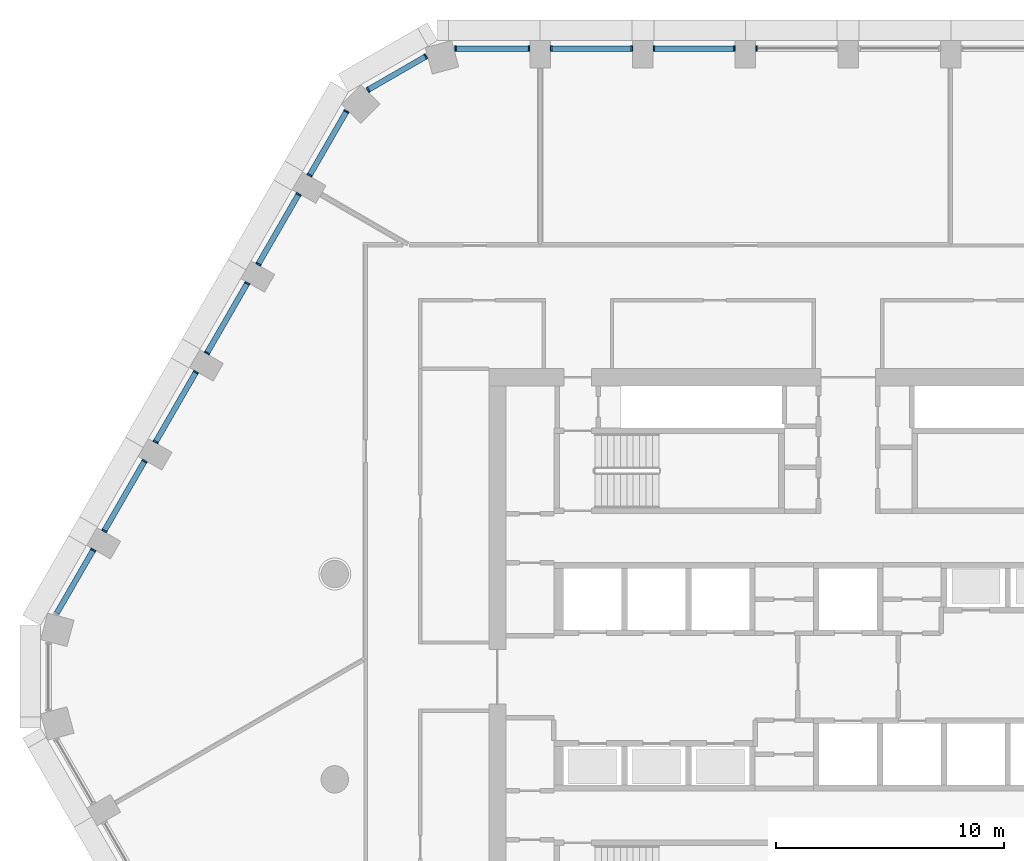
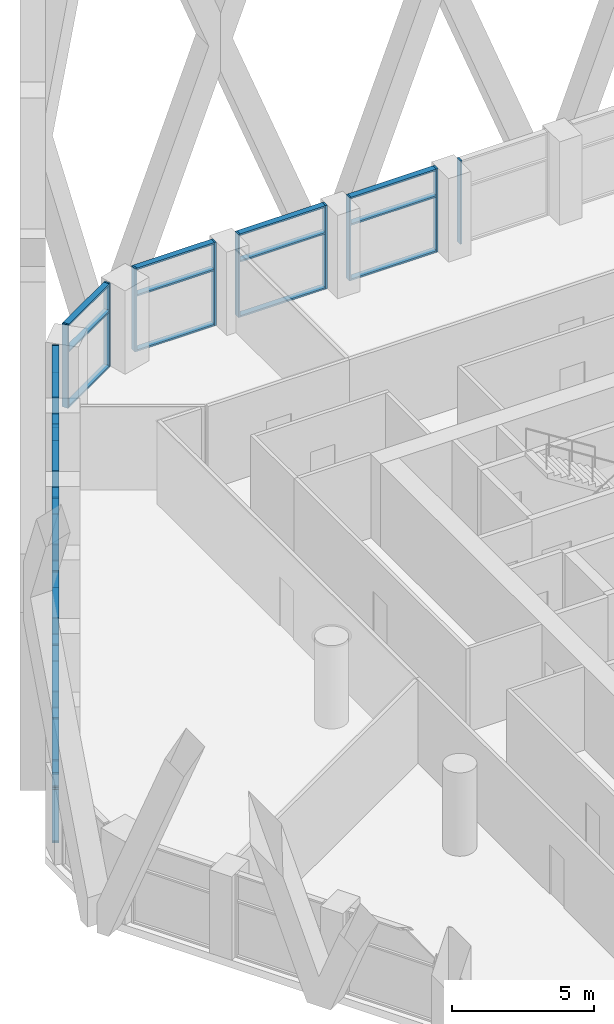
# One storey, part 4 of 24: 50 members, 11 elements without a shape of their own.
"""IFC4 building model written with IfcOpenShell, lengths in metres."""

from ifc_helpers import new_model, si_unit, direction, frame, origin, origin_2d, place, context, subcontext, project, spatial, rectangle, extrude, material, layer, layer_set, material_profile, profile_set, type_object, element, aggregate, save


model = new_model("IFC4")

# Units and contexts
model_context = context("Model", 3, precision=1e-05, world=origin(), true_north=direction((0.0, 1.0)))
body_context = subcontext(model_context, "Body", "Model", "MODEL_VIEW")
ifc_project = project(units=[si_unit("LENGTHUNIT", "METRE"), si_unit("AREAUNIT", "SQUARE_METRE"), si_unit("VOLUMEUNIT", "CUBIC_METRE"), si_unit("PLANEANGLEUNIT", "RADIAN"), si_unit("MASSUNIT", "GRAM", prefix="KILO")], contexts=[model_context])

# Site, building, storey
site_placement = place(None, origin())
site = spatial("IfcSite", under=ifc_project, at=site_placement, CompositionType="ELEMENT")
building_placement = place(site_placement, origin())
building = spatial("IfcBuilding", under=site, at=building_placement, Name="Dhurran Vertical Campus", CompositionType="ELEMENT")
storey_placement = place(building_placement, frame((0.0, 0.0, 132.60009765625)))
storey = spatial("IfcBuildingStorey", under=building, at=storey_placement, Name="L32", CompositionType="ELEMENT", Elevation=132.60009765625)

# Curtain wall, member
ifc_material_1 = material(Name="Aluminium frame with solar-control glass", Category="aluminium")
ifc_layer = layer(ifc_material_1, 0.25)
ifc_layer_set = layer_set([ifc_layer], Name="Aluminium frame with solar-control glass")
curtain_wall_type = type_object("IfcCurtainWallType", Name="Sky lobby glazing system", PredefinedType="NOTDEFINED", material=ifc_layer_set)
curtain_wall_1_placement = place(storey_placement, origin())
curtain_wall_1 = element("IfcCurtainWall", 1, at=curtain_wall_1_placement, inside=storey, type_object=curtain_wall_type, Name="CW3 L32.27", PredefinedType="NOTDEFINED")
ifc_material_2 = material(Name="Aluminium mullion", Category="aluminium")
ifc_material_profile_1 = material_profile(ifc_material_2, rectangle(XDim=0.239990234375, YDim=0.070068359375, at=origin_2d()), Name="Sky lobby glazing system mullion")
ifc_profile_set_1 = profile_set([ifc_material_profile_1], Name="Aluminium mullion")
member_type_1 = type_object("IfcMemberType", Name="Sky lobby glazing system mullion", PredefinedType="MULLION", material=ifc_profile_set_1)
member_1_placement = place(storey_placement, frame((-4.014404296875, 27.53271484375, 0.0), z_axis=(0.0, 0.0, 1.0), x_axis=(0.0, -1.0, 0.0)))
member_1 = element("IfcMember", 2, at=member_1_placement, type_object=member_type_1, Name="CW3 mullion 2", PredefinedType="MULLION", context=body_context, shape_type="SweptSolid", body=[
    extrude(rectangle(XDim=0.239990234375, YDim=0.070068359375, at=origin_2d()), origin(), (0.0, 0.0, 1.0), 3.574951171875),
])
aggregate(curtain_wall_1, [member_1])

# Curtain wall, members
curtain_wall_2_placement = place(storey_placement, origin())
curtain_wall_2 = element("IfcCurtainWall", 3, at=curtain_wall_2_placement, inside=storey, type_object=curtain_wall_type, Name="CW3 L32.28", PredefinedType="NOTDEFINED")
member_2_placement = place(storey_placement, frame((-4.985595703125, 27.53271484375, 0.0), z_axis=(0.0, 0.0, 1.0), x_axis=(0.0, -1.0, 0.0)))
member_2 = element("IfcMember", 4, at=member_2_placement, type_object=member_type_1, Name="CW3 mullion 1", PredefinedType="MULLION", context=body_context, shape_type="SweptSolid", body=[
    extrude(rectangle(XDim=0.239990234375, YDim=0.070068359375, at=origin_2d()), origin(), (0.0, 0.0, 1.0), 3.574951171875),
])
member_3_placement = place(storey_placement, frame((-8.514404296875, 27.53271484375, 0.0), z_axis=(0.0, 0.0, 1.0), x_axis=(0.0, -1.0, 0.0)))
member_3 = element("IfcMember", 5, at=member_3_placement, type_object=member_type_1, Name="CW3 mullion 2", PredefinedType="MULLION", context=body_context, shape_type="SweptSolid", body=[
    extrude(rectangle(XDim=0.239990234375, YDim=0.070068359375, at=origin_2d()), origin(), (0.0, 0.0, 1.0), 3.574951171875),
])

curtain_wall_3_placement = place(storey_placement, origin())
curtain_wall_3 = element("IfcCurtainWall", 6, at=curtain_wall_3_placement, inside=storey, type_object=curtain_wall_type, Name="CW3 L32.29", PredefinedType="NOTDEFINED")
member_4_placement = place(storey_placement, frame((-9.485595703125, 27.53271484375, 0.0), z_axis=(0.0, 0.0, 1.0), x_axis=(0.0, -1.0, 0.0)))
member_4 = element("IfcMember", 7, at=member_4_placement, type_object=member_type_1, Name="CW3 mullion 1", PredefinedType="MULLION", context=body_context, shape_type="SweptSolid", body=[
    extrude(rectangle(XDim=0.239990234375, YDim=0.070068359375, at=origin_2d()), origin(), (0.0, 0.0, 1.0), 3.574951171875),
])
member_5_placement = place(storey_placement, frame((-13.014404296875, 27.53271484375, 0.0), z_axis=(0.0, 0.0, 1.0), x_axis=(0.0, -1.0, 0.0)))
member_5 = element("IfcMember", 8, at=member_5_placement, type_object=member_type_1, Name="CW3 mullion 2", PredefinedType="MULLION", context=body_context, shape_type="SweptSolid", body=[
    extrude(rectangle(XDim=0.239990234375, YDim=0.070068359375, at=origin_2d()), origin(), (0.0, 0.0, 1.0), 3.574951171875),
])

curtain_wall_4_placement = place(storey_placement, origin())
curtain_wall_4 = element("IfcCurtainWall", 9, at=curtain_wall_4_placement, inside=storey, type_object=curtain_wall_type, Name="CW3 L32.30", PredefinedType="NOTDEFINED")
member_6_placement = place(storey_placement, frame((-13.985595703125, 27.53271484375, 0.0), z_axis=(0.0, 0.0, 1.0), x_axis=(0.0, -1.0, 0.0)))
member_6 = element("IfcMember", 10, at=member_6_placement, type_object=member_type_1, Name="CW3 mullion 1", PredefinedType="MULLION", context=body_context, shape_type="SweptSolid", body=[
    extrude(rectangle(XDim=0.239990234375, YDim=0.070068359375, at=origin_2d()), origin(), (0.0, 0.0, 1.0), 3.574951171875),
])
member_7_placement = place(storey_placement, frame((-17.209716796875, 27.53271484375, 0.0), z_axis=(0.0, 0.0, 1.0), x_axis=(0.0, -1.0, 0.0)))
member_7 = element("IfcMember", 11, at=member_7_placement, type_object=member_type_1, Name="CW3 mullion 2", PredefinedType="MULLION", context=body_context, shape_type="SweptSolid", body=[
    extrude(rectangle(XDim=0.239990234375, YDim=0.070068359375, at=origin_2d()), origin(), (0.0, 0.0, 1.0), 3.574951171875),
])

curtain_wall_5_placement = place(storey_placement, origin())
curtain_wall_5 = element("IfcCurtainWall", 12, at=curtain_wall_5_placement, inside=storey, type_object=curtain_wall_type, Name="CW3 L32.31", PredefinedType="NOTDEFINED")
member_8_placement = place(storey_placement, frame((-18.509521484375, 27.184326171875, 0.0), z_axis=(0.0, 0.0, 1.0), x_axis=(0.500003351625, -0.866023468714, 0.0)))
member_8 = element("IfcMember", 13, at=member_8_placement, type_object=member_type_1, Name="CW3 mullion 1", PredefinedType="MULLION", context=body_context, shape_type="SweptSolid", body=[
    extrude(rectangle(XDim=0.239990234375, YDim=0.070068359375, at=origin_2d()), origin(), (0.0, 0.0, 1.0), 3.574951171875),
])
member_9_placement = place(storey_placement, frame((-21.03759765625, 25.724853515625, 0.0), z_axis=(0.0, 0.0, 1.0), x_axis=(0.500003351625, -0.866023468714, 0.0)))
member_9 = element("IfcMember", 14, at=member_9_placement, type_object=member_type_1, Name="CW3 mullion 2", PredefinedType="MULLION", context=body_context, shape_type="SweptSolid", body=[
    extrude(rectangle(XDim=0.239990234375, YDim=0.070068359375, at=origin_2d()), origin(), (0.0, 0.0, 1.0), 3.574951171875),
])

curtain_wall_6_placement = place(storey_placement, origin())
curtain_wall_6 = element("IfcCurtainWall", 15, at=curtain_wall_6_placement, inside=storey, type_object=curtain_wall_type, Name="CW3 L32.32", PredefinedType="NOTDEFINED")
member_10_placement = place(storey_placement, frame((-21.9892578125, 24.773193359375, 0.0), z_axis=(0.0, 0.0, 1.0), x_axis=(0.866026338808, -0.499998380488, 0.0)))
member_10 = element("IfcMember", 16, at=member_10_placement, type_object=member_type_1, Name="CW3 mullion 1", PredefinedType="MULLION", context=body_context, shape_type="SweptSolid", body=[
    extrude(rectangle(XDim=0.239990234375, YDim=0.070068359375, at=origin_2d()), origin(), (0.0, 0.0, 1.0), 3.574951171875),
])
member_11_placement = place(storey_placement, frame((-23.601318359375, 21.98095703125, 0.0), z_axis=(0.0, 0.0, 1.0), x_axis=(0.866026338808, -0.499998380488, 0.0)))
member_11 = element("IfcMember", 17, at=member_11_placement, type_object=member_type_1, Name="CW3 mullion 2", PredefinedType="MULLION", context=body_context, shape_type="SweptSolid", body=[
    extrude(rectangle(XDim=0.239990234375, YDim=0.070068359375, at=origin_2d()), origin(), (0.0, 0.0, 1.0), 3.574951171875),
])

curtain_wall_7_placement = place(storey_placement, origin())
curtain_wall_7 = element("IfcCurtainWall", 18, at=curtain_wall_7_placement, inside=storey, type_object=curtain_wall_type, Name="CW3 L32.33", PredefinedType="NOTDEFINED")
member_12_placement = place(storey_placement, frame((-24.0869140625, 21.14013671875, 0.0), z_axis=(0.0, 0.0, 1.0), x_axis=(0.866023637427, -0.500003059408, 0.0)))
member_12 = element("IfcMember", 19, at=member_12_placement, type_object=member_type_1, Name="CW3 mullion 1", PredefinedType="MULLION", context=body_context, shape_type="SweptSolid", body=[
    extrude(rectangle(XDim=0.239990234375, YDim=0.070068359375, at=origin_2d()), origin(), (0.0, 0.0, 1.0), 3.574951171875),
])
member_13_placement = place(storey_placement, frame((-25.851318359375, 18.083984375, 0.0), z_axis=(0.0, 0.0, 1.0), x_axis=(0.866023637427, -0.500003059408, 0.0)))
member_13 = element("IfcMember", 20, at=member_13_placement, type_object=member_type_1, Name="CW3 mullion 2", PredefinedType="MULLION", context=body_context, shape_type="SweptSolid", body=[
    extrude(rectangle(XDim=0.239990234375, YDim=0.070068359375, at=origin_2d()), origin(), (0.0, 0.0, 1.0), 3.574951171875),
])

curtain_wall_8_placement = place(storey_placement, origin())
curtain_wall_8 = element("IfcCurtainWall", 21, at=curtain_wall_8_placement, inside=storey, type_object=curtain_wall_type, Name="CW3 L32.34", PredefinedType="NOTDEFINED")
member_14_placement = place(storey_placement, frame((-26.3369140625, 17.242919921875, 0.0), z_axis=(0.0, 0.0, 1.0), x_axis=(0.866023637427, -0.500003059408, 0.0)))
member_14 = element("IfcMember", 22, at=member_14_placement, type_object=member_type_1, Name="CW3 mullion 1", PredefinedType="MULLION", context=body_context, shape_type="SweptSolid", body=[
    extrude(rectangle(XDim=0.239990234375, YDim=0.070068359375, at=origin_2d()), origin(), (0.0, 0.0, 1.0), 3.574951171875),
])
member_15_placement = place(storey_placement, frame((-28.101318359375, 14.186767578125, 0.0), z_axis=(0.0, 0.0, 1.0), x_axis=(0.866023637427, -0.500003059408, 0.0)))
member_15 = element("IfcMember", 23, at=member_15_placement, type_object=member_type_1, Name="CW3 mullion 2", PredefinedType="MULLION", context=body_context, shape_type="SweptSolid", body=[
    extrude(rectangle(XDim=0.239990234375, YDim=0.070068359375, at=origin_2d()), origin(), (0.0, 0.0, 1.0), 3.574951171875),
])

curtain_wall_9_placement = place(storey_placement, origin())
curtain_wall_9 = element("IfcCurtainWall", 24, at=curtain_wall_9_placement, inside=storey, type_object=curtain_wall_type, Name="CW3 L32.35", PredefinedType="NOTDEFINED")
member_16_placement = place(storey_placement, frame((-28.5869140625, 13.345947265625, 0.0), z_axis=(0.0, 0.0, 1.0), x_axis=(0.866023637427, -0.500003059408, 0.0)))
member_16 = element("IfcMember", 25, at=member_16_placement, type_object=member_type_1, Name="CW3 mullion 1", PredefinedType="MULLION", context=body_context, shape_type="SweptSolid", body=[
    extrude(rectangle(XDim=0.239990234375, YDim=0.070068359375, at=origin_2d()), origin(), (0.0, 0.0, 1.0), 3.574951171875),
])
member_17_placement = place(storey_placement, frame((-30.351318359375, 10.289794921875, 0.0), z_axis=(0.0, 0.0, 1.0), x_axis=(0.866023637427, -0.500003059408, 0.0)))
member_17 = element("IfcMember", 26, at=member_17_placement, type_object=member_type_1, Name="CW3 mullion 2", PredefinedType="MULLION", context=body_context, shape_type="SweptSolid", body=[
    extrude(rectangle(XDim=0.239990234375, YDim=0.070068359375, at=origin_2d()), origin(), (0.0, 0.0, 1.0), 3.574951171875),
])

curtain_wall_10_placement = place(storey_placement, origin())
curtain_wall_10 = element("IfcCurtainWall", 27, at=curtain_wall_10_placement, inside=storey, type_object=curtain_wall_type, Name="CW3 L32.36", PredefinedType="NOTDEFINED")
member_18_placement = place(storey_placement, frame((-30.8369140625, 9.44873046875, 0.0), z_axis=(0.0, 0.0, 1.0), x_axis=(0.866023637427, -0.500003059408, 0.0)))
member_18 = element("IfcMember", 28, at=member_18_placement, type_object=member_type_1, Name="CW3 mullion 1", PredefinedType="MULLION", context=body_context, shape_type="SweptSolid", body=[
    extrude(rectangle(XDim=0.239990234375, YDim=0.070068359375, at=origin_2d()), origin(), (0.0, 0.0, 1.0), 3.574951171875),
])
member_19_placement = place(storey_placement, frame((-32.601318359375, 6.392578125, 0.0), z_axis=(0.0, 0.0, 1.0), x_axis=(0.866023637427, -0.500003059408, 0.0)))
member_19 = element("IfcMember", 29, at=member_19_placement, type_object=member_type_1, Name="CW3 mullion 2", PredefinedType="MULLION", context=body_context, shape_type="SweptSolid", body=[
    extrude(rectangle(XDim=0.239990234375, YDim=0.070068359375, at=origin_2d()), origin(), (0.0, 0.0, 1.0), 3.574951171875),
])

# Curtain wall, member
curtain_wall_11_placement = place(storey_placement, origin())
curtain_wall_11 = element("IfcCurtainWall", 30, at=curtain_wall_11_placement, inside=storey, type_object=curtain_wall_type, Name="CW3 L32.37", PredefinedType="NOTDEFINED")
member_20_placement = place(storey_placement, frame((-33.0869140625, 5.5517578125, 0.0), z_axis=(0.0, 0.0, 1.0), x_axis=(0.866033927995, -0.499985235344, 0.0)))
member_20 = element("IfcMember", 31, at=member_20_placement, type_object=member_type_1, Name="CW3 mullion 1", PredefinedType="MULLION", context=body_context, shape_type="SweptSolid", body=[
    extrude(rectangle(XDim=0.239990234375, YDim=0.070068359375, at=origin_2d()), origin(), (0.0, 0.0, 1.0), 3.574951171875),
])

# Member
ifc_material_3 = material(Name="Aluminium transom", Category="aluminium")
ifc_material_profile_2 = material_profile(ifc_material_3, rectangle(XDim=0.239990234375, YDim=0.070068359375, at=origin_2d()), Name="Sky lobby glazing system transom")
ifc_profile_set_2 = profile_set([ifc_material_profile_2], Name="Aluminium transom")
member_type_2 = type_object("IfcMemberType", Name="Sky lobby glazing system transom", PredefinedType="USERDEFINED", material=ifc_profile_set_2)
member_21_placement = place(storey_placement, frame((-5.0205078125, 27.53271484375, 0.034912109375), z_axis=(-1.0, 0.0, 0.0), x_axis=(0.0, -1.0, 0.0)))
member_21 = element("IfcMember", 32, at=member_21_placement, type_object=member_type_2, Name="CW3 transom 1.1", ObjectType="TRANSOM", PredefinedType="USERDEFINED", context=body_context, shape_type="SweptSolid", body=[
    extrude(rectangle(XDim=0.239990234375, YDim=0.070068359375, at=origin_2d()), origin(), (0.0, 0.0, 1.0), 3.458984375),
])

member_22_placement = place(storey_placement, frame((-5.0205078125, 27.53271484375, 2.39990234375), z_axis=(-1.0, 0.0, 0.0), x_axis=(0.0, -1.0, 0.0)))
member_22 = element("IfcMember", 33, at=member_22_placement, type_object=member_type_2, Name="CW3 transom 1.2", ObjectType="TRANSOM", PredefinedType="USERDEFINED", context=body_context, shape_type="SweptSolid", body=[
    extrude(rectangle(XDim=0.239990234375, YDim=0.070068359375, at=origin_2d()), origin(), (0.0, 0.0, 1.0), 3.458984375),
])

member_23_placement = place(storey_placement, frame((-5.0205078125, 27.53271484375, 3.539794921875), z_axis=(-1.0, 0.0, 0.0), x_axis=(0.0, -1.0, 0.0)))
member_23 = element("IfcMember", 34, at=member_23_placement, type_object=member_type_2, Name="CW3 transom 1.3", ObjectType="TRANSOM", PredefinedType="USERDEFINED", context=body_context, shape_type="SweptSolid", body=[
    extrude(rectangle(XDim=0.239990234375, YDim=0.070068359375, at=origin_2d()), origin(), (0.0, 0.0, 1.0), 3.458984375),
])

aggregate(curtain_wall_2, [member_2, member_3, member_21, member_22, member_23])

member_24_placement = place(storey_placement, frame((-9.5205078125, 27.53271484375, 0.034912109375), z_axis=(-1.0, 0.0, 0.0), x_axis=(0.0, -1.0, 0.0)))
member_24 = element("IfcMember", 35, at=member_24_placement, type_object=member_type_2, Name="CW3 transom 1.1", ObjectType="TRANSOM", PredefinedType="USERDEFINED", context=body_context, shape_type="SweptSolid", body=[
    extrude(rectangle(XDim=0.239990234375, YDim=0.070068359375, at=origin_2d()), origin(), (0.0, 0.0, 1.0), 3.458984375),
])

member_25_placement = place(storey_placement, frame((-9.5205078125, 27.53271484375, 2.39990234375), z_axis=(-1.0, 0.0, 0.0), x_axis=(0.0, -1.0, 0.0)))
member_25 = element("IfcMember", 36, at=member_25_placement, type_object=member_type_2, Name="CW3 transom 1.2", ObjectType="TRANSOM", PredefinedType="USERDEFINED", context=body_context, shape_type="SweptSolid", body=[
    extrude(rectangle(XDim=0.239990234375, YDim=0.070068359375, at=origin_2d()), origin(), (0.0, 0.0, 1.0), 3.458984375),
])

member_26_placement = place(storey_placement, frame((-9.5205078125, 27.53271484375, 3.539794921875), z_axis=(-1.0, 0.0, 0.0), x_axis=(0.0, -1.0, 0.0)))
member_26 = element("IfcMember", 37, at=member_26_placement, type_object=member_type_2, Name="CW3 transom 1.3", ObjectType="TRANSOM", PredefinedType="USERDEFINED", context=body_context, shape_type="SweptSolid", body=[
    extrude(rectangle(XDim=0.239990234375, YDim=0.070068359375, at=origin_2d()), origin(), (0.0, 0.0, 1.0), 3.458984375),
])

aggregate(curtain_wall_3, [member_4, member_5, member_24, member_25, member_26])

member_27_placement = place(storey_placement, frame((-14.0205078125, 27.53271484375, 0.034912109375), z_axis=(-1.0, 0.0, 0.0), x_axis=(0.0, -1.0, 0.0)))
member_27 = element("IfcMember", 38, at=member_27_placement, type_object=member_type_2, Name="CW3 transom 1.1", ObjectType="TRANSOM", PredefinedType="USERDEFINED", context=body_context, shape_type="SweptSolid", body=[
    extrude(rectangle(XDim=0.239990234375, YDim=0.070068359375, at=origin_2d()), origin(), (0.0, 0.0, 1.0), 3.154052734375),
])

member_28_placement = place(storey_placement, frame((-14.0205078125, 27.53271484375, 2.39990234375), z_axis=(-1.0, 0.0, 0.0), x_axis=(0.0, -1.0, 0.0)))
member_28 = element("IfcMember", 39, at=member_28_placement, type_object=member_type_2, Name="CW3 transom 1.2", ObjectType="TRANSOM", PredefinedType="USERDEFINED", context=body_context, shape_type="SweptSolid", body=[
    extrude(rectangle(XDim=0.239990234375, YDim=0.070068359375, at=origin_2d()), origin(), (0.0, 0.0, 1.0), 3.154052734375),
])

member_29_placement = place(storey_placement, frame((-14.0205078125, 27.53271484375, 3.539794921875), z_axis=(-1.0, 0.0, 0.0), x_axis=(0.0, -1.0, 0.0)))
member_29 = element("IfcMember", 40, at=member_29_placement, type_object=member_type_2, Name="CW3 transom 1.3", ObjectType="TRANSOM", PredefinedType="USERDEFINED", context=body_context, shape_type="SweptSolid", body=[
    extrude(rectangle(XDim=0.239990234375, YDim=0.070068359375, at=origin_2d()), origin(), (0.0, 0.0, 1.0), 3.154052734375),
])

aggregate(curtain_wall_4, [member_6, member_7, member_27, member_28, member_29])

member_30_placement = place(storey_placement, frame((-18.539794921875, 27.1669921875, 0.034912109375), z_axis=(-0.865998658444, -0.500046321428, 0.0), x_axis=(0.500046321428, -0.865998658444, 0.0)))
member_30 = element("IfcMember", 41, at=member_30_placement, type_object=member_type_2, Name="CW3 transom 1.1", ObjectType="TRANSOM", PredefinedType="USERDEFINED", context=body_context, shape_type="SweptSolid", body=[
    extrude(rectangle(XDim=0.239990234375, YDim=0.070068359375, at=origin_2d()), origin(), (0.0, 0.0, 1.0), 2.849365234375),
])

member_31_placement = place(storey_placement, frame((-18.539794921875, 27.1669921875, 2.39990234375), z_axis=(-0.865998658444, -0.500046321428, 0.0), x_axis=(0.500046321428, -0.865998658444, 0.0)))
member_31 = element("IfcMember", 42, at=member_31_placement, type_object=member_type_2, Name="CW3 transom 1.2", ObjectType="TRANSOM", PredefinedType="USERDEFINED", context=body_context, shape_type="SweptSolid", body=[
    extrude(rectangle(XDim=0.239990234375, YDim=0.070068359375, at=origin_2d()), origin(), (0.0, 0.0, 1.0), 2.849365234375),
])

member_32_placement = place(storey_placement, frame((-18.539794921875, 27.1669921875, 3.539794921875), z_axis=(-0.865998658444, -0.500046321428, 0.0), x_axis=(0.500046321428, -0.865998658444, 0.0)))
member_32 = element("IfcMember", 43, at=member_32_placement, type_object=member_type_2, Name="CW3 transom 1.3", ObjectType="TRANSOM", PredefinedType="USERDEFINED", context=body_context, shape_type="SweptSolid", body=[
    extrude(rectangle(XDim=0.239990234375, YDim=0.070068359375, at=origin_2d()), origin(), (0.0, 0.0, 1.0), 2.849365234375),
])

aggregate(curtain_wall_5, [member_8, member_9, member_30, member_31, member_32])

member_33_placement = place(storey_placement, frame((-22.0068359375, 24.74267578125, 0.034912109375), z_axis=(-0.499977078692, -0.866038637003, 0.0), x_axis=(0.866038637003, -0.499977078692, 0.0)))
member_33 = element("IfcMember", 44, at=member_33_placement, type_object=member_type_2, Name="CW3 transom 1.1", ObjectType="TRANSOM", PredefinedType="USERDEFINED", context=body_context, shape_type="SweptSolid", body=[
    extrude(rectangle(XDim=0.239990234375, YDim=0.070068359375, at=origin_2d()), origin(), (0.0, 0.0, 1.0), 3.154052734375),
])

member_34_placement = place(storey_placement, frame((-22.0068359375, 24.74267578125, 2.39990234375), z_axis=(-0.499977078692, -0.866038637003, 0.0), x_axis=(0.866038637003, -0.499977078692, 0.0)))
member_34 = element("IfcMember", 45, at=member_34_placement, type_object=member_type_2, Name="CW3 transom 1.2", ObjectType="TRANSOM", PredefinedType="USERDEFINED", context=body_context, shape_type="SweptSolid", body=[
    extrude(rectangle(XDim=0.239990234375, YDim=0.070068359375, at=origin_2d()), origin(), (0.0, 0.0, 1.0), 3.154052734375),
])

member_35_placement = place(storey_placement, frame((-22.0068359375, 24.74267578125, 3.539794921875), z_axis=(-0.499977078692, -0.866038637003, 0.0), x_axis=(0.866038637003, -0.499977078692, 0.0)))
member_35 = element("IfcMember", 46, at=member_35_placement, type_object=member_type_2, Name="CW3 transom 1.3", ObjectType="TRANSOM", PredefinedType="USERDEFINED", context=body_context, shape_type="SweptSolid", body=[
    extrude(rectangle(XDim=0.239990234375, YDim=0.070068359375, at=origin_2d()), origin(), (0.0, 0.0, 1.0), 3.154052734375),
])

aggregate(curtain_wall_6, [member_10, member_11, member_33, member_34, member_35])

member_36_placement = place(storey_placement, frame((-24.104248046875, 21.10986328125, 0.034912109375), z_axis=(-0.499995352082, -0.866028087245, 0.0), x_axis=(0.866028087245, -0.499995352082, 0.0)))
member_36 = element("IfcMember", 47, at=member_36_placement, type_object=member_type_2, Name="CW3 transom 1.1", ObjectType="TRANSOM", PredefinedType="USERDEFINED", context=body_context, shape_type="SweptSolid", body=[
    extrude(rectangle(XDim=0.239990234375, YDim=0.070068359375, at=origin_2d()), origin(), (0.0, 0.0, 1.0), 3.458984375),
])

member_37_placement = place(storey_placement, frame((-24.104248046875, 21.10986328125, 2.39990234375), z_axis=(-0.499995352082, -0.866028087245, 0.0), x_axis=(0.866028087245, -0.499995352082, 0.0)))
member_37 = element("IfcMember", 48, at=member_37_placement, type_object=member_type_2, Name="CW3 transom 1.2", ObjectType="TRANSOM", PredefinedType="USERDEFINED", context=body_context, shape_type="SweptSolid", body=[
    extrude(rectangle(XDim=0.239990234375, YDim=0.070068359375, at=origin_2d()), origin(), (0.0, 0.0, 1.0), 3.458984375),
])

member_38_placement = place(storey_placement, frame((-24.104248046875, 21.10986328125, 3.539794921875), z_axis=(-0.499995352082, -0.866028087245, 0.0), x_axis=(0.866028087245, -0.499995352082, 0.0)))
member_38 = element("IfcMember", 49, at=member_38_placement, type_object=member_type_2, Name="CW3 transom 1.3", ObjectType="TRANSOM", PredefinedType="USERDEFINED", context=body_context, shape_type="SweptSolid", body=[
    extrude(rectangle(XDim=0.239990234375, YDim=0.070068359375, at=origin_2d()), origin(), (0.0, 0.0, 1.0), 3.458984375),
])

aggregate(curtain_wall_7, [member_12, member_13, member_36, member_37, member_38])

member_39_placement = place(storey_placement, frame((-26.354248046875, 17.212646484375, 0.034912109375), z_axis=(-0.499995352082, -0.866028087245, 0.0), x_axis=(0.866028087245, -0.499995352082, 0.0)))
member_39 = element("IfcMember", 50, at=member_39_placement, type_object=member_type_2, Name="CW3 transom 1.1", ObjectType="TRANSOM", PredefinedType="USERDEFINED", context=body_context, shape_type="SweptSolid", body=[
    extrude(rectangle(XDim=0.239990234375, YDim=0.070068359375, at=origin_2d()), origin(), (0.0, 0.0, 1.0), 3.458984375),
])

member_40_placement = place(storey_placement, frame((-26.354248046875, 17.212646484375, 2.39990234375), z_axis=(-0.499995352082, -0.866028087245, 0.0), x_axis=(0.866028087245, -0.499995352082, 0.0)))
member_40 = element("IfcMember", 51, at=member_40_placement, type_object=member_type_2, Name="CW3 transom 1.2", ObjectType="TRANSOM", PredefinedType="USERDEFINED", context=body_context, shape_type="SweptSolid", body=[
    extrude(rectangle(XDim=0.239990234375, YDim=0.070068359375, at=origin_2d()), origin(), (0.0, 0.0, 1.0), 3.458984375),
])

member_41_placement = place(storey_placement, frame((-26.354248046875, 17.212646484375, 3.539794921875), z_axis=(-0.499995352082, -0.866028087245, 0.0), x_axis=(0.866028087245, -0.499995352082, 0.0)))
member_41 = element("IfcMember", 52, at=member_41_placement, type_object=member_type_2, Name="CW3 transom 1.3", ObjectType="TRANSOM", PredefinedType="USERDEFINED", context=body_context, shape_type="SweptSolid", body=[
    extrude(rectangle(XDim=0.239990234375, YDim=0.070068359375, at=origin_2d()), origin(), (0.0, 0.0, 1.0), 3.458984375),
])

aggregate(curtain_wall_8, [member_14, member_15, member_39, member_40, member_41])

member_42_placement = place(storey_placement, frame((-28.604248046875, 13.315673828125, 0.034912109375), z_axis=(-0.499995352082, -0.866028087245, 0.0), x_axis=(0.866028087245, -0.499995352082, 0.0)))
member_42 = element("IfcMember", 53, at=member_42_placement, type_object=member_type_2, Name="CW3 transom 1.1", ObjectType="TRANSOM", PredefinedType="USERDEFINED", context=body_context, shape_type="SweptSolid", body=[
    extrude(rectangle(XDim=0.239990234375, YDim=0.070068359375, at=origin_2d()), origin(), (0.0, 0.0, 1.0), 3.458984375),
])

member_43_placement = place(storey_placement, frame((-28.604248046875, 13.315673828125, 2.39990234375), z_axis=(-0.499995352082, -0.866028087245, 0.0), x_axis=(0.866028087245, -0.499995352082, 0.0)))
member_43 = element("IfcMember", 54, at=member_43_placement, type_object=member_type_2, Name="CW3 transom 1.2", ObjectType="TRANSOM", PredefinedType="USERDEFINED", context=body_context, shape_type="SweptSolid", body=[
    extrude(rectangle(XDim=0.239990234375, YDim=0.070068359375, at=origin_2d()), origin(), (0.0, 0.0, 1.0), 3.458984375),
])

member_44_placement = place(storey_placement, frame((-28.604248046875, 13.315673828125, 3.539794921875), z_axis=(-0.499995352082, -0.866028087245, 0.0), x_axis=(0.866028087245, -0.499995352082, 0.0)))
member_44 = element("IfcMember", 55, at=member_44_placement, type_object=member_type_2, Name="CW3 transom 1.3", ObjectType="TRANSOM", PredefinedType="USERDEFINED", context=body_context, shape_type="SweptSolid", body=[
    extrude(rectangle(XDim=0.239990234375, YDim=0.070068359375, at=origin_2d()), origin(), (0.0, 0.0, 1.0), 3.458984375),
])

aggregate(curtain_wall_9, [member_16, member_17, member_42, member_43, member_44])

member_45_placement = place(storey_placement, frame((-30.854248046875, 9.41845703125, 0.034912109375), z_axis=(-0.499995352082, -0.866028087245, 0.0), x_axis=(0.866028087245, -0.499995352082, 0.0)))
member_45 = element("IfcMember", 56, at=member_45_placement, type_object=member_type_2, Name="CW3 transom 1.1", ObjectType="TRANSOM", PredefinedType="USERDEFINED", context=body_context, shape_type="SweptSolid", body=[
    extrude(rectangle(XDim=0.239990234375, YDim=0.070068359375, at=origin_2d()), origin(), (0.0, 0.0, 1.0), 3.458984375),
])

member_46_placement = place(storey_placement, frame((-30.854248046875, 9.41845703125, 2.39990234375), z_axis=(-0.499995352082, -0.866028087245, 0.0), x_axis=(0.866028087245, -0.499995352082, 0.0)))
member_46 = element("IfcMember", 57, at=member_46_placement, type_object=member_type_2, Name="CW3 transom 1.2", ObjectType="TRANSOM", PredefinedType="USERDEFINED", context=body_context, shape_type="SweptSolid", body=[
    extrude(rectangle(XDim=0.239990234375, YDim=0.070068359375, at=origin_2d()), origin(), (0.0, 0.0, 1.0), 3.458984375),
])

member_47_placement = place(storey_placement, frame((-30.854248046875, 9.41845703125, 3.539794921875), z_axis=(-0.499995352082, -0.866028087245, 0.0), x_axis=(0.866028087245, -0.499995352082, 0.0)))
member_47 = element("IfcMember", 58, at=member_47_placement, type_object=member_type_2, Name="CW3 transom 1.3", ObjectType="TRANSOM", PredefinedType="USERDEFINED", context=body_context, shape_type="SweptSolid", body=[
    extrude(rectangle(XDim=0.239990234375, YDim=0.070068359375, at=origin_2d()), origin(), (0.0, 0.0, 1.0), 3.458984375),
])

aggregate(curtain_wall_10, [member_18, member_19, member_45, member_46, member_47])

member_48_placement = place(storey_placement, frame((-33.104248046875, 5.521484375, 0.034912109375), z_axis=(-0.500001615989, -0.86602447079, 0.0), x_axis=(0.86602447079, -0.500001615989, 0.0)))
member_48 = element("IfcMember", 59, at=member_48_placement, type_object=member_type_2, Name="CW3 transom 1.1", ObjectType="TRANSOM", PredefinedType="USERDEFINED", context=body_context, shape_type="SweptSolid", body=[
    extrude(rectangle(XDim=0.239990234375, YDim=0.070068359375, at=origin_2d()), origin(), (0.0, 0.0, 1.0), 3.154296875),
])

member_49_placement = place(storey_placement, frame((-33.104248046875, 5.521484375, 2.39990234375), z_axis=(-0.500001615989, -0.86602447079, 0.0), x_axis=(0.86602447079, -0.500001615989, 0.0)))
member_49 = element("IfcMember", 60, at=member_49_placement, type_object=member_type_2, Name="CW3 transom 1.2", ObjectType="TRANSOM", PredefinedType="USERDEFINED", context=body_context, shape_type="SweptSolid", body=[
    extrude(rectangle(XDim=0.239990234375, YDim=0.070068359375, at=origin_2d()), origin(), (0.0, 0.0, 1.0), 3.154296875),
])

member_50_placement = place(storey_placement, frame((-33.104248046875, 5.521484375, 3.539794921875), z_axis=(-0.500001615989, -0.86602447079, 0.0), x_axis=(0.86602447079, -0.500001615989, 0.0)))
member_50 = element("IfcMember", 61, at=member_50_placement, type_object=member_type_2, Name="CW3 transom 1.3", ObjectType="TRANSOM", PredefinedType="USERDEFINED", context=body_context, shape_type="SweptSolid", body=[
    extrude(rectangle(XDim=0.239990234375, YDim=0.070068359375, at=origin_2d()), origin(), (0.0, 0.0, 1.0), 3.154296875),
])

aggregate(curtain_wall_11, [member_20, member_48, member_49, member_50])

save(model, "model.ifc")
